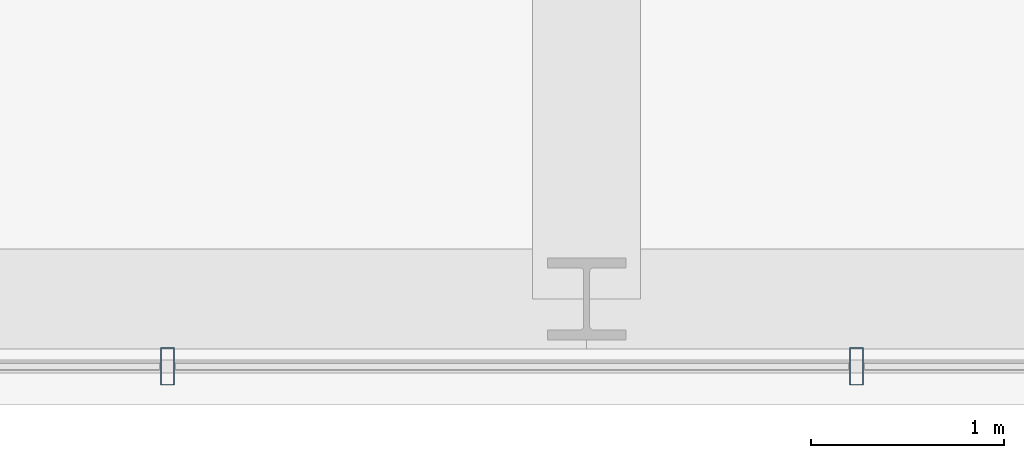
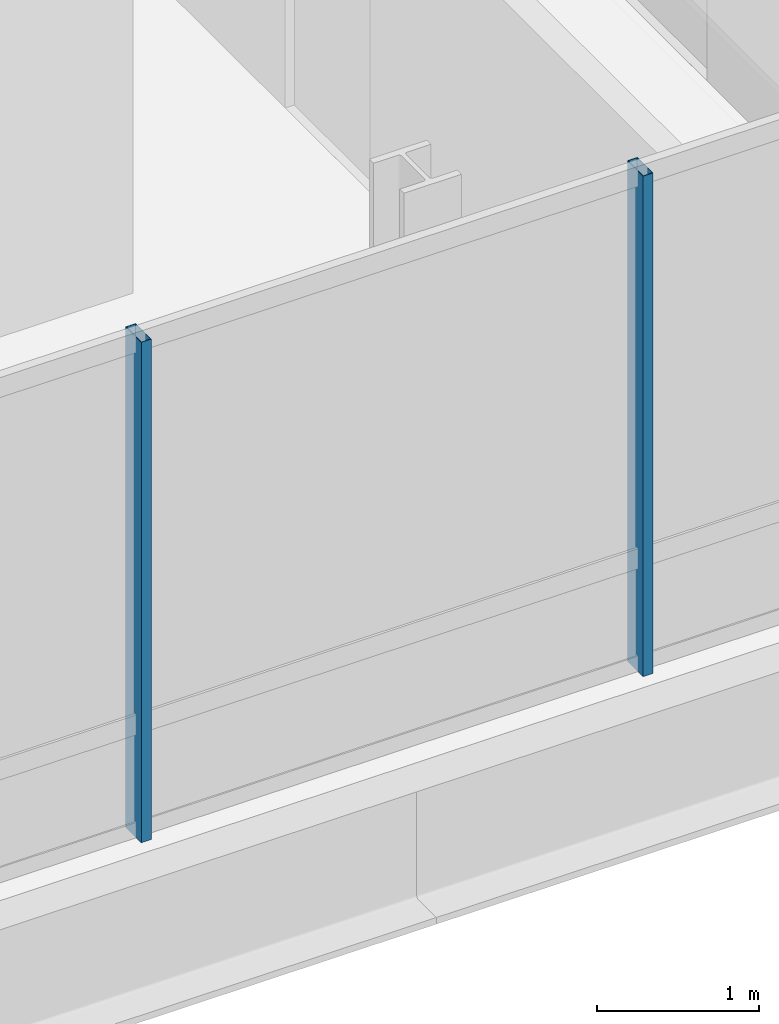
# One storey, part 5 of 46: 2 members, 1 element without a shape of its own.
"""IFC4 building model written with IfcOpenShell, lengths in metres."""

from ifc_helpers import new_model, si_unit, direction, frame, origin, origin_2d, place, context, subcontext, project, spatial, hollow_rectangle, extrude, material, material_profile, profile_set, type_object, element, aggregate, save


model = new_model("IFC4")

# Units and contexts
model_context = context("Model", 3, precision=1e-05, world=origin(), true_north=direction((0.0, 1.0)))
body_context = subcontext(model_context, "Body", "Model", "MODEL_VIEW")
ifc_project = project(units=[si_unit("LENGTHUNIT", "METRE"), si_unit("AREAUNIT", "SQUARE_METRE"), si_unit("VOLUMEUNIT", "CUBIC_METRE"), si_unit("PLANEANGLEUNIT", "RADIAN"), si_unit("MASSUNIT", "GRAM", prefix="KILO")], contexts=[model_context])

# Site, building, storey
site_placement = place(None, origin())
site = spatial("IfcSite", under=ifc_project, at=site_placement, CompositionType="ELEMENT")
building_placement = place(site_placement, origin())
building = spatial("IfcBuilding", under=site, at=building_placement, Name="Punatoya Terracotta Tower", CompositionType="ELEMENT")
storey_placement = place(building_placement, frame((0.0, 0.0, 200.550048828125)))
storey = spatial("IfcBuildingStorey", under=building, at=storey_placement, Name="L47", CompositionType="ELEMENT", Elevation=200.550048828125)

# Curtain wall, members
ifc_material_1 = material(Name="Aluminium 6063-T6 + Double Low-E Glass", Category="aluminium")
curtain_wall_type = type_object("IfcCurtainWallType", Name="CW-M2", PredefinedType="NOTDEFINED", material=ifc_material_1)
curtain_wall_placement = place(storey_placement, origin())
curtain_wall = element("IfcCurtainWall", 1, at=curtain_wall_placement, inside=storey, type_object=curtain_wall_type, Name="L47 Curtain Wall CW-L47-S01-1", PredefinedType="NOTDEFINED")
ifc_material_2 = material(Name="Aluminium 6063-T6", Category="aluminium")
ifc_material_profile = material_profile(ifc_material_2, hollow_rectangle(XDim=0.072021484375, YDim=0.195068359375, WallThickness=0.00439453125, at=origin_2d()))
ifc_profile_set = profile_set([ifc_material_profile], Name="Aluminium 6063-T6")
member_type = type_object("IfcMemberType", Name="CW-MUL-M2", PredefinedType="MULLION", material=ifc_profile_set)
member_1_placement = place(storey_placement, frame((-5.97509765625, -23.25, 0.0), z_axis=(0.0, 0.0, 1.0), x_axis=(1.0, 0.0, 0.0)))
member_1 = element("IfcMember", 2, at=member_1_placement, type_object=member_type, Name="CW-L47-S01-1 Mullion 03", PredefinedType="MULLION", context=body_context, shape_type="SweptSolid", body=[
    extrude(hollow_rectangle(XDim=0.072021484375, YDim=0.195068359375, WallThickness=0.00439453125, at=origin_2d()), origin(), (0.0, 0.0, 1.0), 3.77001953125),
])
member_2_placement = place(storey_placement, frame((-2.39990234375, -23.25, 0.0), z_axis=(0.0, 0.0, 1.0), x_axis=(1.0, 0.0, 0.0)))
member_2 = element("IfcMember", 3, at=member_2_placement, type_object=member_type, Name="CW-L47-S01-1 Mullion 04", PredefinedType="MULLION", context=body_context, shape_type="SweptSolid", body=[
    extrude(hollow_rectangle(XDim=0.072021484375, YDim=0.195068359375, WallThickness=0.00439453125, at=origin_2d()), origin(), (0.0, 0.0, 1.0), 3.77001953125),
])
aggregate(curtain_wall, [member_1, member_2])

save(model, "model.ifc")
